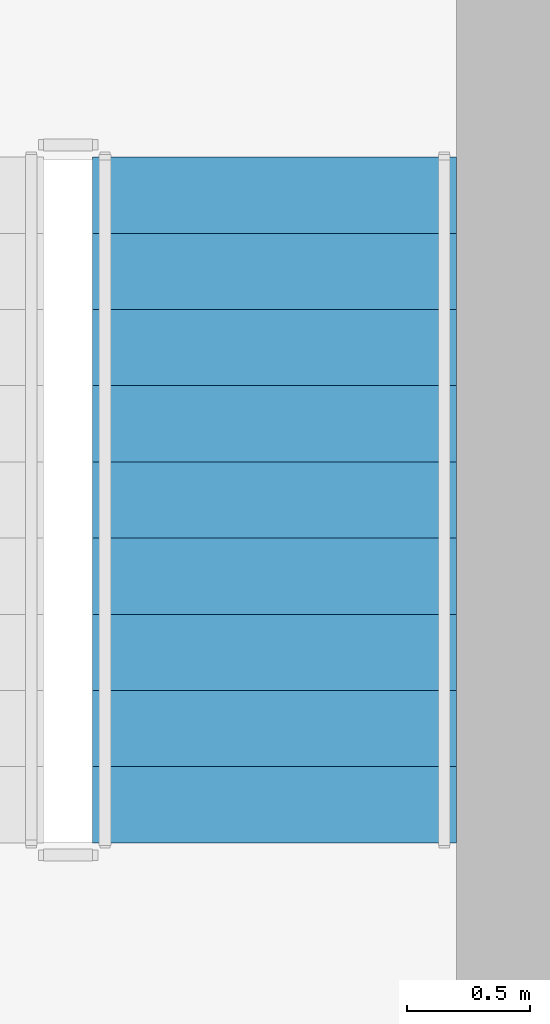
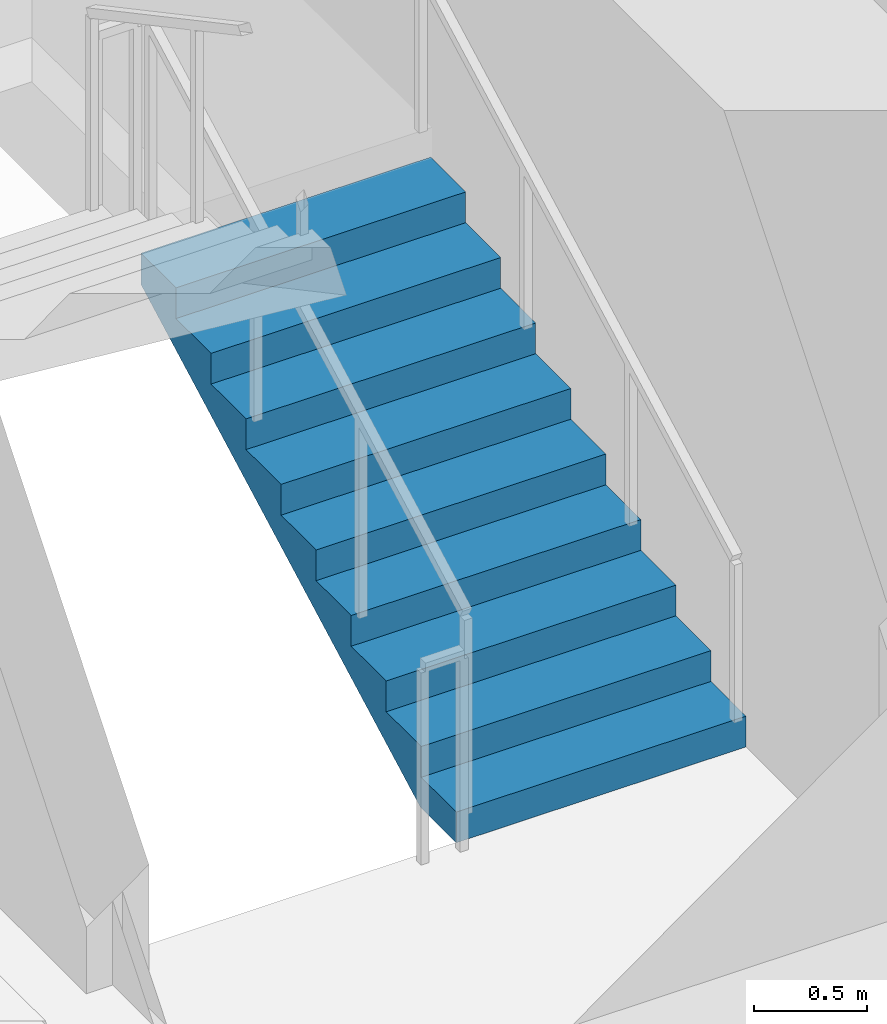
# One storey, part 7 of 11: 1 stair flight, 1 element without a shape of its own.
"""IFC4 building model written with IfcOpenShell, lengths in metres."""

from ifc_helpers import new_model, si_unit, direction, frame, origin, place, context, subcontext, project, spatial, polyline, outline, extrude, material, type_object, element, aggregate, save


model = new_model("IFC4")

# Units and contexts
model_context = context("Model", 3, precision=1e-05, world=origin(), true_north=direction((0.0, 1.0)))
body_context = subcontext(model_context, "Body", "Model", "MODEL_VIEW")
ifc_project = project(units=[si_unit("LENGTHUNIT", "METRE"), si_unit("AREAUNIT", "SQUARE_METRE"), si_unit("VOLUMEUNIT", "CUBIC_METRE"), si_unit("PLANEANGLEUNIT", "RADIAN"), si_unit("MASSUNIT", "GRAM", prefix="KILO")], contexts=[model_context])

# Site, building, storey
site_placement = place(None, origin())
site = spatial("IfcSite", under=ifc_project, at=site_placement, CompositionType="ELEMENT")
building_placement = place(site_placement, origin())
building = spatial("IfcBuilding", under=site, at=building_placement, Name="Solanera Arch Residences", CompositionType="ELEMENT")
storey_placement = place(building_placement, frame((0.0, 0.0, 149.239990234375)))
storey = spatial("IfcBuildingStorey", under=building, at=storey_placement, Name="L43", CompositionType="ELEMENT", Elevation=149.239990234375)

# Stair, stair flight
ifc_material_1 = material(Name="Concrete C40/50 (f'c = 45 MPa)", Category="concrete")
stair_type = type_object("IfcStairType", Name="Tower Dogleg Exit Stair 1480", PredefinedType="HALF_TURN_STAIR", material=ifc_material_1)
stair_placement = place(storey_placement, origin())
stair = element("IfcStair", 1, at=stair_placement, inside=storey, type_object=stair_type, Name="L43 Tower Core Exit Stair 2", PredefinedType="HALF_TURN_STAIR")
ifc_material_2 = material(Name="Concrete C40/50 (f'c = 45 MPa)", Category="concrete")
stair_flight_type = type_object("IfcStairFlightType", Name="Tower Precast Stair Flight 1480", PredefinedType="STRAIGHT", material=ifc_material_2)
stair_flight_placement = place(storey_placement, frame((35.320068359375, 32.47998046875, 0.0), z_axis=(0.0, 0.0, 1.0), x_axis=(0.0, 1.0, 0.0)))
stair_flight = element("IfcStairFlight", 2, at=stair_flight_placement, type_object=stair_flight_type, Name="ST-T2 flight 1", NumberOfRisers=10, NumberOfTreads=9, PredefinedType="STRAIGHT", RiserHeight=0.166, TreadLength=0.31, context=body_context, shape_type="SweptSolid", body=[
    extrude(outline(polyline([(0.0, 0.0), (0.0, 0.166015625), (0.31005859375, 0.166015625), (0.31005859375, 0.33203125), (0.6201171875, 0.33203125), (0.6201171875, 0.498046875), (0.929931640625, 0.498046875), (0.929931640625, 0.6640625), (1.239990234375, 0.6640625), (1.239990234375, 0.830078125), (1.550048828125, 0.830078125), (1.550048828125, 0.99609375), (1.860107421875, 0.99609375), (1.860107421875, 1.162109375), (2.169921875, 1.162109375), (2.169921875, 1.327880859375), (2.47998046875, 1.327880859375), (2.47998046875, 1.493896484375), (2.7900390625, 1.493896484375), (2.7900390625, 1.659912109375), (2.7900390625, 1.323974609375), (0.317626953125, 0.0), (0.0, 0.0)])), frame((0.0, 0.739990234375, 0.0), z_axis=(0.0, -1.0, 0.0), x_axis=(1.0, 0.0, 0.0)), (0.0, 0.0, 1.0), 1.47998046875),
])
aggregate(stair, [stair_flight])

save(model, "model.ifc")
